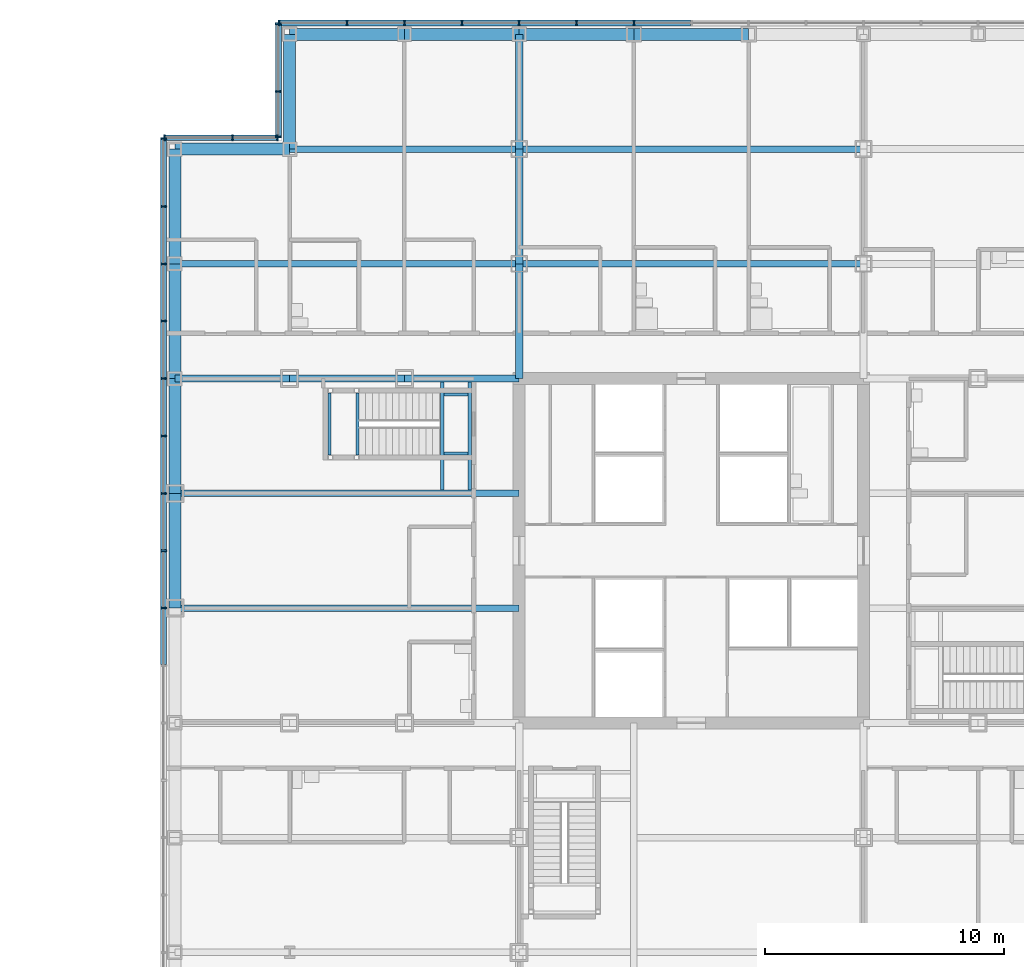
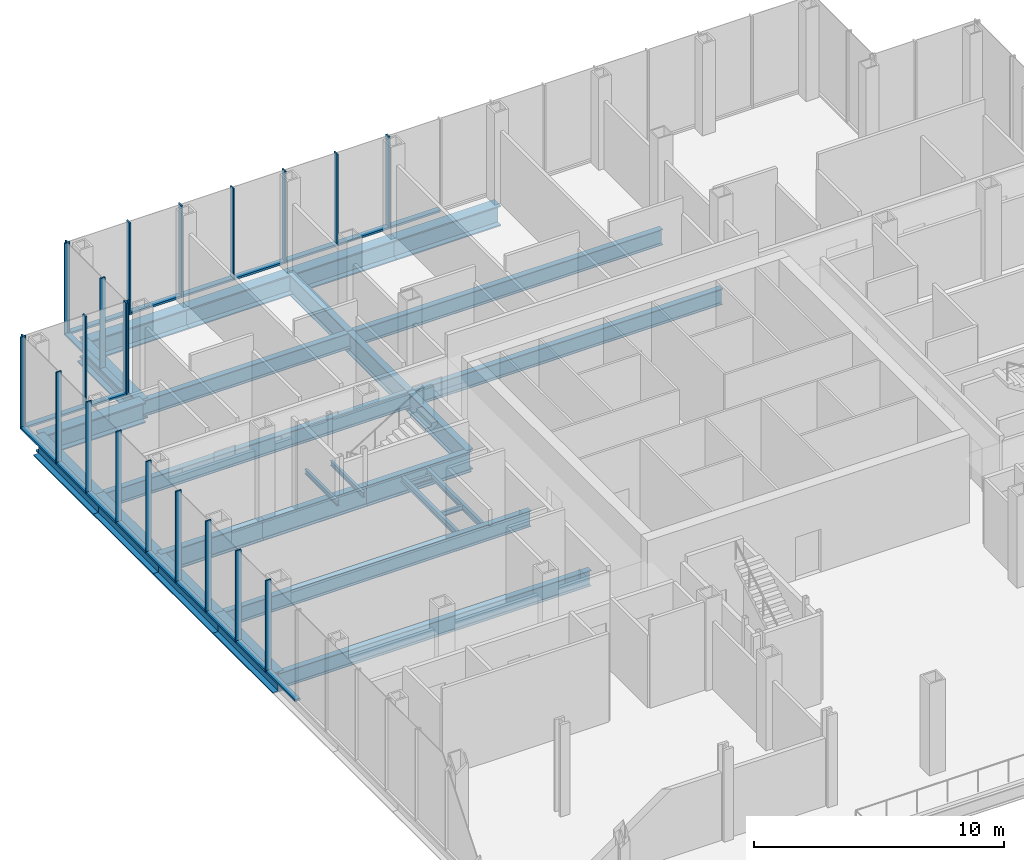
# One storey, part 15 of 25: 42 members, 28 beams, 4 elements without a shape of their own.
"""IFC4 building model written with IfcOpenShell, lengths in metres."""

from ifc_helpers import new_model, si_unit, direction, frame, origin, origin_2d, place, context, subcontext, project, spatial, rectangle, i_section, extrude, material, material_profile, profile_set, type_object, element, aggregate, save


model = new_model("IFC4")

# Units and contexts
model_context = context("Model", 3, precision=1e-05, world=origin(), true_north=direction((0.0, 1.0)))
body_context = subcontext(model_context, "Body", "Model", "MODEL_VIEW")
ifc_project = project(units=[si_unit("LENGTHUNIT", "METRE"), si_unit("AREAUNIT", "SQUARE_METRE"), si_unit("VOLUMEUNIT", "CUBIC_METRE"), si_unit("PLANEANGLEUNIT", "RADIAN"), si_unit("MASSUNIT", "GRAM", prefix="KILO")], contexts=[model_context])

# Site, building, storey
site_placement = place(None, origin())
site = spatial("IfcSite", under=ifc_project, at=site_placement, CompositionType="ELEMENT")
building_placement = place(site_placement, origin())
building = spatial("IfcBuilding", under=site, at=building_placement, Name="Kvirike Care Tower", CompositionType="ELEMENT")
storey_placement = place(building_placement, frame((0.0, 0.0, 9.0)))
storey = spatial("IfcBuildingStorey", under=building, at=storey_placement, Name="L02", CompositionType="ELEMENT", Elevation=9.0)

# Curtain wall, members
ifc_material_1 = material(Name="Anodised aluminium stick system", Category="aluminium")
curtain_wall_type = type_object("IfcCurtainWallType", Name="CW-P PODIUM STICK CURTAIN WALL", PredefinedType="NOTDEFINED", material=ifc_material_1)
curtain_wall_1_placement = place(storey_placement, origin())
curtain_wall_1 = element("IfcCurtainWall", 1, at=curtain_wall_1_placement, inside=storey, type_object=curtain_wall_type, Name="Curtain wall L02 face 11", PredefinedType="NOTDEFINED")
ifc_material_2 = material(Name="Bronze anodised aluminium mullion", Category="aluminium")
ifc_material_profile_1 = material_profile(ifc_material_2, rectangle(XDim=0.06494140625, YDim=0.25, at=origin_2d()), Name="CW-P MULLION 65x250")
ifc_profile_set_1 = profile_set([ifc_material_profile_1], Name="Bronze anodised aluminium mullion")
member_type_1 = type_object("IfcMemberType", Name="CW-P MULLION 65x250", PredefinedType="MULLION", material=ifc_profile_set_1)
member_1_placement = place(storey_placement, frame((19.199951171875, 58.074951171875, 0.0), z_axis=(0.0, 0.0, 1.0), x_axis=(-1.0, 0.0, 0.0)))
member_1 = element("IfcMember", 2, at=member_1_placement, type_object=member_type_1, Name="CW-P mullion L02 face 11.9", PredefinedType="MULLION", context=body_context, shape_type="SweptSolid", body=[
    extrude(rectangle(XDim=0.06494140625, YDim=0.25, at=origin_2d()), origin(), (0.0, 0.0, 1.0), 4.5),
])
member_2_placement = place(storey_placement, frame((16.800048828125, 58.074951171875, 0.0), z_axis=(0.0, 0.0, 1.0), x_axis=(-1.0, 0.0, 0.0)))
member_2 = element("IfcMember", 3, at=member_2_placement, type_object=member_type_1, Name="CW-P mullion L02 face 11.10", PredefinedType="MULLION", context=body_context, shape_type="SweptSolid", body=[
    extrude(rectangle(XDim=0.06494140625, YDim=0.25, at=origin_2d()), origin(), (0.0, 0.0, 1.0), 4.5),
])
member_3_placement = place(storey_placement, frame((14.39990234375, 58.074951171875, 0.0), z_axis=(0.0, 0.0, 1.0), x_axis=(-1.0, 0.0, 0.0)))
member_3 = element("IfcMember", 4, at=member_3_placement, type_object=member_type_1, Name="CW-P mullion L02 face 11.11", PredefinedType="MULLION", context=body_context, shape_type="SweptSolid", body=[
    extrude(rectangle(XDim=0.06494140625, YDim=0.25, at=origin_2d()), origin(), (0.0, 0.0, 1.0), 4.5),
])
member_4_placement = place(storey_placement, frame((12.0, 58.074951171875, 0.0), z_axis=(0.0, 0.0, 1.0), x_axis=(-1.0, 0.0, 0.0)))
member_4 = element("IfcMember", 5, at=member_4_placement, type_object=member_type_1, Name="CW-P mullion L02 face 11.12", PredefinedType="MULLION", context=body_context, shape_type="SweptSolid", body=[
    extrude(rectangle(XDim=0.06494140625, YDim=0.25, at=origin_2d()), origin(), (0.0, 0.0, 1.0), 4.5),
])
member_5_placement = place(storey_placement, frame((9.60009765625, 58.074951171875, 0.0), z_axis=(0.0, 0.0, 1.0), x_axis=(-1.0, 0.0, 0.0)))
member_5 = element("IfcMember", 6, at=member_5_placement, type_object=member_type_1, Name="CW-P mullion L02 face 11.13", PredefinedType="MULLION", context=body_context, shape_type="SweptSolid", body=[
    extrude(rectangle(XDim=0.06494140625, YDim=0.25, at=origin_2d()), origin(), (0.0, 0.0, 1.0), 4.5),
])
member_6_placement = place(storey_placement, frame((7.199951171875, 58.074951171875, 0.0), z_axis=(0.0, 0.0, 1.0), x_axis=(-1.0, 0.0, 0.0)))
member_6 = element("IfcMember", 7, at=member_6_placement, type_object=member_type_1, Name="CW-P mullion L02 face 11.14", PredefinedType="MULLION", context=body_context, shape_type="SweptSolid", body=[
    extrude(rectangle(XDim=0.06494140625, YDim=0.25, at=origin_2d()), origin(), (0.0, 0.0, 1.0), 4.5),
])
member_7_placement = place(storey_placement, frame((4.357421875, 58.074951171875, 0.0), z_axis=(0.0, 0.0, 1.0), x_axis=(-1.0, 0.0, 0.0)))
member_7 = element("IfcMember", 8, at=member_7_placement, type_object=member_type_1, Name="CW-P mullion L02 face 11.15", PredefinedType="MULLION", context=body_context, shape_type="SweptSolid", body=[
    extrude(rectangle(XDim=0.06494140625, YDim=0.25, at=origin_2d()), origin(), (0.0, 0.0, 1.0), 4.5),
])

curtain_wall_2_placement = place(storey_placement, origin())
curtain_wall_2 = element("IfcCurtainWall", 9, at=curtain_wall_2_placement, inside=storey, type_object=curtain_wall_type, Name="Curtain wall L02 face 12", PredefinedType="NOTDEFINED")
member_8_placement = place(storey_placement, frame((4.324951171875, 58.04248046875, 0.0), z_axis=(0.0, 0.0, 1.0), x_axis=(0.0, -1.0, 0.0)))
member_8 = element("IfcMember", 10, at=member_8_placement, type_object=member_type_1, Name="CW-P mullion L02 face 12.1", PredefinedType="MULLION", context=body_context, shape_type="SweptSolid", body=[
    extrude(rectangle(XDim=0.06494140625, YDim=0.25, at=origin_2d()), origin(), (0.0, 0.0, 1.0), 4.5),
])
member_9_placement = place(storey_placement, frame((4.324951171875, 55.199951171875, 0.0), z_axis=(0.0, 0.0, 1.0), x_axis=(0.0, -1.0, 0.0)))
member_9 = element("IfcMember", 11, at=member_9_placement, type_object=member_type_1, Name="CW-P mullion L02 face 12.2", PredefinedType="MULLION", context=body_context, shape_type="SweptSolid", body=[
    extrude(rectangle(XDim=0.06494140625, YDim=0.25, at=origin_2d()), origin(), (0.0, 0.0, 1.0), 4.5),
])
member_10_placement = place(storey_placement, frame((4.324951171875, 53.3076171875, 0.0), z_axis=(0.0, 0.0, 1.0), x_axis=(0.0, -1.0, 0.0)))
member_10 = element("IfcMember", 12, at=member_10_placement, type_object=member_type_1, Name="CW-P mullion L02 face 12.3", PredefinedType="MULLION", context=body_context, shape_type="SweptSolid", body=[
    extrude(rectangle(XDim=0.06494140625, YDim=0.25, at=origin_2d()), origin(), (0.0, 0.0, 1.0), 4.5),
])

curtain_wall_3_placement = place(storey_placement, origin())
curtain_wall_3 = element("IfcCurtainWall", 13, at=curtain_wall_3_placement, inside=storey, type_object=curtain_wall_type, Name="Curtain wall L02 face 13", PredefinedType="NOTDEFINED")
member_11_placement = place(storey_placement, frame((4.29248046875, 53.27490234375, 0.0), z_axis=(0.0, 0.0, 1.0), x_axis=(-1.0, 0.0, 0.0)))
member_11 = element("IfcMember", 14, at=member_11_placement, type_object=member_type_1, Name="CW-P mullion L02 face 13.1", PredefinedType="MULLION", context=body_context, shape_type="SweptSolid", body=[
    extrude(rectangle(XDim=0.06494140625, YDim=0.25, at=origin_2d()), origin(), (0.0, 0.0, 1.0), 4.5),
])
member_12_placement = place(storey_placement, frame((2.39990234375, 53.27490234375, 0.0), z_axis=(0.0, 0.0, 1.0), x_axis=(-1.0, 0.0, 0.0)))
member_12 = element("IfcMember", 15, at=member_12_placement, type_object=member_type_1, Name="CW-P mullion L02 face 13.2", PredefinedType="MULLION", context=body_context, shape_type="SweptSolid", body=[
    extrude(rectangle(XDim=0.06494140625, YDim=0.25, at=origin_2d()), origin(), (0.0, 0.0, 1.0), 4.5),
])
member_13_placement = place(storey_placement, frame((-0.4423828125, 53.27490234375, 0.0), z_axis=(0.0, 0.0, 1.0), x_axis=(-1.0, 0.0, 0.0)))
member_13 = element("IfcMember", 16, at=member_13_placement, type_object=member_type_1, Name="CW-P mullion L02 face 13.3", PredefinedType="MULLION", context=body_context, shape_type="SweptSolid", body=[
    extrude(rectangle(XDim=0.06494140625, YDim=0.25, at=origin_2d()), origin(), (0.0, 0.0, 1.0), 4.5),
])

curtain_wall_4_placement = place(storey_placement, origin())
curtain_wall_4 = element("IfcCurtainWall", 17, at=curtain_wall_4_placement, inside=storey, type_object=curtain_wall_type, Name="Curtain wall L02 face 14", PredefinedType="NOTDEFINED")
member_14_placement = place(storey_placement, frame((-0.47509765625, 53.242431640625, 0.0), z_axis=(0.0, 0.0, 1.0), x_axis=(0.0, -1.0, 0.0)))
member_14 = element("IfcMember", 18, at=member_14_placement, type_object=member_type_1, Name="CW-P mullion L02 face 14.1", PredefinedType="MULLION", context=body_context, shape_type="SweptSolid", body=[
    extrude(rectangle(XDim=0.06494140625, YDim=0.25, at=origin_2d()), origin(), (0.0, 0.0, 1.0), 4.5),
])
member_15_placement = place(storey_placement, frame((-0.47509765625, 50.39990234375, 0.0), z_axis=(0.0, 0.0, 1.0), x_axis=(0.0, -1.0, 0.0)))
member_15 = element("IfcMember", 19, at=member_15_placement, type_object=member_type_1, Name="CW-P mullion L02 face 14.2", PredefinedType="MULLION", context=body_context, shape_type="SweptSolid", body=[
    extrude(rectangle(XDim=0.06494140625, YDim=0.25, at=origin_2d()), origin(), (0.0, 0.0, 1.0), 4.5),
])
member_16_placement = place(storey_placement, frame((-0.47509765625, 48.0, 0.0), z_axis=(0.0, 0.0, 1.0), x_axis=(0.0, -1.0, 0.0)))
member_16 = element("IfcMember", 20, at=member_16_placement, type_object=member_type_1, Name="CW-P mullion L02 face 14.3", PredefinedType="MULLION", context=body_context, shape_type="SweptSolid", body=[
    extrude(rectangle(XDim=0.06494140625, YDim=0.25, at=origin_2d()), origin(), (0.0, 0.0, 1.0), 4.5),
])
member_17_placement = place(storey_placement, frame((-0.47509765625, 45.60009765625, 0.0), z_axis=(0.0, 0.0, 1.0), x_axis=(0.0, -1.0, 0.0)))
member_17 = element("IfcMember", 21, at=member_17_placement, type_object=member_type_1, Name="CW-P mullion L02 face 14.4", PredefinedType="MULLION", context=body_context, shape_type="SweptSolid", body=[
    extrude(rectangle(XDim=0.06494140625, YDim=0.25, at=origin_2d()), origin(), (0.0, 0.0, 1.0), 4.5),
])
member_18_placement = place(storey_placement, frame((-0.47509765625, 43.199951171875, 0.0), z_axis=(0.0, 0.0, 1.0), x_axis=(0.0, -1.0, 0.0)))
member_18 = element("IfcMember", 22, at=member_18_placement, type_object=member_type_1, Name="CW-P mullion L02 face 14.5", PredefinedType="MULLION", context=body_context, shape_type="SweptSolid", body=[
    extrude(rectangle(XDim=0.06494140625, YDim=0.25, at=origin_2d()), origin(), (0.0, 0.0, 1.0), 4.5),
])
member_19_placement = place(storey_placement, frame((-0.47509765625, 40.800048828125, 0.0), z_axis=(0.0, 0.0, 1.0), x_axis=(0.0, -1.0, 0.0)))
member_19 = element("IfcMember", 23, at=member_19_placement, type_object=member_type_1, Name="CW-P mullion L02 face 14.6", PredefinedType="MULLION", context=body_context, shape_type="SweptSolid", body=[
    extrude(rectangle(XDim=0.06494140625, YDim=0.25, at=origin_2d()), origin(), (0.0, 0.0, 1.0), 4.5),
])
member_20_placement = place(storey_placement, frame((-0.47509765625, 38.39990234375, 0.0), z_axis=(0.0, 0.0, 1.0), x_axis=(0.0, -1.0, 0.0)))
member_20 = element("IfcMember", 24, at=member_20_placement, type_object=member_type_1, Name="CW-P mullion L02 face 14.7", PredefinedType="MULLION", context=body_context, shape_type="SweptSolid", body=[
    extrude(rectangle(XDim=0.06494140625, YDim=0.25, at=origin_2d()), origin(), (0.0, 0.0, 1.0), 4.5),
])
member_21_placement = place(storey_placement, frame((-0.47509765625, 36.0, 0.0), z_axis=(0.0, 0.0, 1.0), x_axis=(0.0, -1.0, 0.0)))
member_21 = element("IfcMember", 25, at=member_21_placement, type_object=member_type_1, Name="CW-P mullion L02 face 14.8", PredefinedType="MULLION", context=body_context, shape_type="SweptSolid", body=[
    extrude(rectangle(XDim=0.06494140625, YDim=0.25, at=origin_2d()), origin(), (0.0, 0.0, 1.0), 4.5),
])
member_22_placement = place(storey_placement, frame((-0.47509765625, 33.60009765625, 0.0), z_axis=(0.0, 0.0, 1.0), x_axis=(0.0, -1.0, 0.0)))
member_22 = element("IfcMember", 26, at=member_22_placement, type_object=member_type_1, Name="CW-P mullion L02 face 14.9", PredefinedType="MULLION", context=body_context, shape_type="SweptSolid", body=[
    extrude(rectangle(XDim=0.06494140625, YDim=0.25, at=origin_2d()), origin(), (0.0, 0.0, 1.0), 4.5),
])

# Member
ifc_material_3 = material(Name="Bronze anodised aluminium transom", Category="aluminium")
ifc_material_profile_2 = material_profile(ifc_material_3, rectangle(XDim=0.25, YDim=0.10009765625, at=origin_2d()), Name="CW-P TRANSOM 250x100")
ifc_profile_set_2 = profile_set([ifc_material_profile_2], Name="Bronze anodised aluminium transom")
member_type_2 = type_object("IfcMemberType", Name="CW-P TRANSOM 250x100", PredefinedType="USERDEFINED", material=ifc_profile_set_2)
member_23_placement = place(storey_placement, frame((21.5673828125, 58.074951171875, 0.050048828125), z_axis=(-1.0, 0.0, 0.0), x_axis=(0.0, -1.0, 0.0)))
member_23 = element("IfcMember", 27, at=member_23_placement, type_object=member_type_2, Name="CW-P sill transom L02 face 11.8", ObjectType="TRANSOM", PredefinedType="USERDEFINED", context=body_context, shape_type="SweptSolid", body=[
    extrude(rectangle(XDim=0.25, YDim=0.10009765625, at=origin_2d()), origin(), (0.0, 0.0, 1.0), 2.3349609375),
])

member_24_placement = place(storey_placement, frame((19.16748046875, 58.074951171875, 0.050048828125), z_axis=(-1.0, 0.0, 0.0), x_axis=(0.0, -1.0, 0.0)))
member_24 = element("IfcMember", 28, at=member_24_placement, type_object=member_type_2, Name="CW-P sill transom L02 face 11.9", ObjectType="TRANSOM", PredefinedType="USERDEFINED", context=body_context, shape_type="SweptSolid", body=[
    extrude(rectangle(XDim=0.25, YDim=0.10009765625, at=origin_2d()), origin(), (0.0, 0.0, 1.0), 2.3349609375),
])

member_25_placement = place(storey_placement, frame((16.767578125, 58.074951171875, 0.050048828125), z_axis=(-1.0, 0.0, 0.0), x_axis=(0.0, -1.0, 0.0)))
member_25 = element("IfcMember", 29, at=member_25_placement, type_object=member_type_2, Name="CW-P sill transom L02 face 11.10", ObjectType="TRANSOM", PredefinedType="USERDEFINED", context=body_context, shape_type="SweptSolid", body=[
    extrude(rectangle(XDim=0.25, YDim=0.10009765625, at=origin_2d()), origin(), (0.0, 0.0, 1.0), 2.3349609375),
])

member_26_placement = place(storey_placement, frame((14.367431640625, 58.074951171875, 0.050048828125), z_axis=(-1.0, 0.0, 0.0), x_axis=(0.0, -1.0, 0.0)))
member_26 = element("IfcMember", 30, at=member_26_placement, type_object=member_type_2, Name="CW-P sill transom L02 face 11.11", ObjectType="TRANSOM", PredefinedType="USERDEFINED", context=body_context, shape_type="SweptSolid", body=[
    extrude(rectangle(XDim=0.25, YDim=0.10009765625, at=origin_2d()), origin(), (0.0, 0.0, 1.0), 2.3349609375),
])

member_27_placement = place(storey_placement, frame((11.967529296875, 58.074951171875, 0.050048828125), z_axis=(-1.0, 0.0, 0.0), x_axis=(0.0, -1.0, 0.0)))
member_27 = element("IfcMember", 31, at=member_27_placement, type_object=member_type_2, Name="CW-P sill transom L02 face 11.12", ObjectType="TRANSOM", PredefinedType="USERDEFINED", context=body_context, shape_type="SweptSolid", body=[
    extrude(rectangle(XDim=0.25, YDim=0.10009765625, at=origin_2d()), origin(), (0.0, 0.0, 1.0), 2.3349609375),
])

member_28_placement = place(storey_placement, frame((9.5673828125, 58.074951171875, 0.050048828125), z_axis=(-1.0, 0.0, 0.0), x_axis=(0.0, -1.0, 0.0)))
member_28 = element("IfcMember", 32, at=member_28_placement, type_object=member_type_2, Name="CW-P sill transom L02 face 11.13", ObjectType="TRANSOM", PredefinedType="USERDEFINED", context=body_context, shape_type="SweptSolid", body=[
    extrude(rectangle(XDim=0.25, YDim=0.10009765625, at=origin_2d()), origin(), (0.0, 0.0, 1.0), 2.3349609375),
])

member_29_placement = place(storey_placement, frame((7.16748046875, 58.074951171875, 0.050048828125), z_axis=(-1.0, 0.0, 0.0), x_axis=(0.0, -1.0, 0.0)))
member_29 = element("IfcMember", 33, at=member_29_placement, type_object=member_type_2, Name="CW-P sill transom L02 face 11.14", ObjectType="TRANSOM", PredefinedType="USERDEFINED", context=body_context, shape_type="SweptSolid", body=[
    extrude(rectangle(XDim=0.25, YDim=0.10009765625, at=origin_2d()), origin(), (0.0, 0.0, 1.0), 2.777587890625),
])

aggregate(curtain_wall_1, [member_1, member_2, member_3, member_4, member_5, member_6, member_7, member_23, member_24, member_25, member_26, member_27, member_28, member_29])

member_30_placement = place(storey_placement, frame((4.324951171875, 58.010009765625, 0.050048828125), z_axis=(0.0, -1.0, 0.0), x_axis=(1.0, 0.0, 0.0)))
member_30 = element("IfcMember", 34, at=member_30_placement, type_object=member_type_2, Name="CW-P sill transom L02 face 12.1", ObjectType="TRANSOM", PredefinedType="USERDEFINED", context=body_context, shape_type="SweptSolid", body=[
    extrude(rectangle(XDim=0.25, YDim=0.10009765625, at=origin_2d()), origin(), (0.0, 0.0, 1.0), 2.777587890625),
])

member_31_placement = place(storey_placement, frame((4.324951171875, 55.16748046875, 0.050048828125), z_axis=(0.0, -1.0, 0.0), x_axis=(1.0, 0.0, 0.0)))
member_31 = element("IfcMember", 35, at=member_31_placement, type_object=member_type_2, Name="CW-P sill transom L02 face 12.2", ObjectType="TRANSOM", PredefinedType="USERDEFINED", context=body_context, shape_type="SweptSolid", body=[
    extrude(rectangle(XDim=0.25, YDim=0.10009765625, at=origin_2d()), origin(), (0.0, 0.0, 1.0), 1.827392578125),
])

aggregate(curtain_wall_2, [member_8, member_9, member_10, member_30, member_31])

member_32_placement = place(storey_placement, frame((4.260009765625, 53.27490234375, 0.050048828125), z_axis=(-1.0, 0.0, 0.0), x_axis=(0.0, -1.0, 0.0)))
member_32 = element("IfcMember", 36, at=member_32_placement, type_object=member_type_2, Name="CW-P sill transom L02 face 13.1", ObjectType="TRANSOM", PredefinedType="USERDEFINED", context=body_context, shape_type="SweptSolid", body=[
    extrude(rectangle(XDim=0.25, YDim=0.10009765625, at=origin_2d()), origin(), (0.0, 0.0, 1.0), 1.827392578125),
])

member_33_placement = place(storey_placement, frame((2.367431640625, 53.27490234375, 0.050048828125), z_axis=(-1.0, 0.0, 0.0), x_axis=(0.0, -1.0, 0.0)))
member_33 = element("IfcMember", 37, at=member_33_placement, type_object=member_type_2, Name="CW-P sill transom L02 face 13.2", ObjectType="TRANSOM", PredefinedType="USERDEFINED", context=body_context, shape_type="SweptSolid", body=[
    extrude(rectangle(XDim=0.25, YDim=0.10009765625, at=origin_2d()), origin(), (0.0, 0.0, 1.0), 2.77734375),
])

aggregate(curtain_wall_3, [member_11, member_12, member_13, member_32, member_33])

member_34_placement = place(storey_placement, frame((-0.47509765625, 53.2099609375, 0.050048828125), z_axis=(0.0, -1.0, 0.0), x_axis=(1.0, 0.0, 0.0)))
member_34 = element("IfcMember", 38, at=member_34_placement, type_object=member_type_2, Name="CW-P sill transom L02 face 14.1", ObjectType="TRANSOM", PredefinedType="USERDEFINED", context=body_context, shape_type="SweptSolid", body=[
    extrude(rectangle(XDim=0.25, YDim=0.10009765625, at=origin_2d()), origin(), (0.0, 0.0, 1.0), 2.77734375),
])

member_35_placement = place(storey_placement, frame((-0.47509765625, 50.367431640625, 0.050048828125), z_axis=(0.0, -1.0, 0.0), x_axis=(1.0, 0.0, 0.0)))
member_35 = element("IfcMember", 39, at=member_35_placement, type_object=member_type_2, Name="CW-P sill transom L02 face 14.2", ObjectType="TRANSOM", PredefinedType="USERDEFINED", context=body_context, shape_type="SweptSolid", body=[
    extrude(rectangle(XDim=0.25, YDim=0.10009765625, at=origin_2d()), origin(), (0.0, 0.0, 1.0), 2.3349609375),
])

member_36_placement = place(storey_placement, frame((-0.47509765625, 47.967529296875, 0.050048828125), z_axis=(0.0, -1.0, 0.0), x_axis=(1.0, 0.0, 0.0)))
member_36 = element("IfcMember", 40, at=member_36_placement, type_object=member_type_2, Name="CW-P sill transom L02 face 14.3", ObjectType="TRANSOM", PredefinedType="USERDEFINED", context=body_context, shape_type="SweptSolid", body=[
    extrude(rectangle(XDim=0.25, YDim=0.10009765625, at=origin_2d()), origin(), (0.0, 0.0, 1.0), 2.3349609375),
])

member_37_placement = place(storey_placement, frame((-0.47509765625, 45.5673828125, 0.050048828125), z_axis=(0.0, -1.0, 0.0), x_axis=(1.0, 0.0, 0.0)))
member_37 = element("IfcMember", 41, at=member_37_placement, type_object=member_type_2, Name="CW-P sill transom L02 face 14.4", ObjectType="TRANSOM", PredefinedType="USERDEFINED", context=body_context, shape_type="SweptSolid", body=[
    extrude(rectangle(XDim=0.25, YDim=0.10009765625, at=origin_2d()), origin(), (0.0, 0.0, 1.0), 2.3349609375),
])

member_38_placement = place(storey_placement, frame((-0.47509765625, 43.16748046875, 0.050048828125), z_axis=(0.0, -1.0, 0.0), x_axis=(1.0, 0.0, 0.0)))
member_38 = element("IfcMember", 42, at=member_38_placement, type_object=member_type_2, Name="CW-P sill transom L02 face 14.5", ObjectType="TRANSOM", PredefinedType="USERDEFINED", context=body_context, shape_type="SweptSolid", body=[
    extrude(rectangle(XDim=0.25, YDim=0.10009765625, at=origin_2d()), origin(), (0.0, 0.0, 1.0), 2.3349609375),
])

member_39_placement = place(storey_placement, frame((-0.47509765625, 40.767578125, 0.050048828125), z_axis=(0.0, -1.0, 0.0), x_axis=(1.0, 0.0, 0.0)))
member_39 = element("IfcMember", 43, at=member_39_placement, type_object=member_type_2, Name="CW-P sill transom L02 face 14.6", ObjectType="TRANSOM", PredefinedType="USERDEFINED", context=body_context, shape_type="SweptSolid", body=[
    extrude(rectangle(XDim=0.25, YDim=0.10009765625, at=origin_2d()), origin(), (0.0, 0.0, 1.0), 2.3349609375),
])

member_40_placement = place(storey_placement, frame((-0.47509765625, 38.367431640625, 0.050048828125), z_axis=(0.0, -1.0, 0.0), x_axis=(1.0, 0.0, 0.0)))
member_40 = element("IfcMember", 44, at=member_40_placement, type_object=member_type_2, Name="CW-P sill transom L02 face 14.7", ObjectType="TRANSOM", PredefinedType="USERDEFINED", context=body_context, shape_type="SweptSolid", body=[
    extrude(rectangle(XDim=0.25, YDim=0.10009765625, at=origin_2d()), origin(), (0.0, 0.0, 1.0), 2.3349609375),
])

member_41_placement = place(storey_placement, frame((-0.47509765625, 35.967529296875, 0.050048828125), z_axis=(0.0, -1.0, 0.0), x_axis=(1.0, 0.0, 0.0)))
member_41 = element("IfcMember", 45, at=member_41_placement, type_object=member_type_2, Name="CW-P sill transom L02 face 14.8", ObjectType="TRANSOM", PredefinedType="USERDEFINED", context=body_context, shape_type="SweptSolid", body=[
    extrude(rectangle(XDim=0.25, YDim=0.10009765625, at=origin_2d()), origin(), (0.0, 0.0, 1.0), 2.3349609375),
])

member_42_placement = place(storey_placement, frame((-0.47509765625, 33.5673828125, 0.050048828125), z_axis=(0.0, -1.0, 0.0), x_axis=(1.0, 0.0, 0.0)))
member_42 = element("IfcMember", 46, at=member_42_placement, type_object=member_type_2, Name="CW-P sill transom L02 face 14.9", ObjectType="TRANSOM", PredefinedType="USERDEFINED", context=body_context, shape_type="SweptSolid", body=[
    extrude(rectangle(XDim=0.25, YDim=0.10009765625, at=origin_2d()), origin(), (0.0, 0.0, 1.0), 2.3349609375),
])

aggregate(curtain_wall_4, [member_14, member_15, member_16, member_17, member_18, member_19, member_20, member_21, member_22, member_34, member_35, member_36, member_37, member_38, member_39, member_40, member_41, member_42])

# Beams
ifc_material_4 = material(Name="Steel S355", Category="steel")
ifc_material_profile_3 = material_profile(ifc_material_4, i_section(OverallWidth=0.26806640625, OverallDepth=0.77001953125, WebThickness=0.015625, FlangeThickness=0.025390625, FilletRadius=0.01708984375, at=origin_2d()), Name="IPE 750x196")
ifc_profile_set_3 = profile_set([ifc_material_profile_3], Name="Steel S355")
beam_type_1 = type_object("IfcBeamType", Name="FLOOR BEAM IPE 750x196", PredefinedType="BEAM", material=ifc_profile_set_3)
for number, where, z_axis, x_axis, name in (
    (47, (0.0, 33.60009765625, -0.554931640625), (1.0, 0.0, 0.0), (0.0, 1.0, 0.0), "Floor Beam H3-H6 L02"),
    (48, (0.0, 38.39990234375, -0.554931640625), (1.0, 0.0, 0.0), (0.0, 1.0, 0.0), "Floor Beam J3-J6 L02"),
    (49, (0.0, 48.0, -0.554931640625), (1.0, 0.0, 0.0), (0.0, 1.0, 0.0), "Floor Beam L3-L6 L02"),
):
    element("IfcBeam", number, at=place(storey_placement, frame(where, z_axis=z_axis, x_axis=x_axis)), inside=storey, type_object=beam_type_1, Name=name, PredefinedType="BEAM", context=body_context, shape_type="SweptSolid", body=[
        extrude(i_section(OverallWidth=0.26806640625, OverallDepth=0.77001953125, WebThickness=0.015625, FlangeThickness=0.025390625, FilletRadius=0.01708984375, at=origin_2d()), origin(), (0.0, 0.0, 1.0), 14.39990234375),
    ])
beam_1_placement = place(storey_placement, frame((14.39990234375, 48.0, -0.554931640625), z_axis=(1.0, 0.0, 0.0), x_axis=(0.0, 1.0, 0.0)))
element("IfcBeam", 50, at=beam_1_placement, inside=storey, type_object=beam_type_1, Name="Floor Beam L6-L9 L02", PredefinedType="BEAM", context=body_context, shape_type="SweptSolid", body=[
    extrude(i_section(OverallWidth=0.26806640625, OverallDepth=0.77001953125, WebThickness=0.015625, FlangeThickness=0.025390625, FilletRadius=0.01708984375, at=origin_2d()), origin(), (0.0, 0.0, 1.0), 14.400146484375),
])
beam_2_placement = place(storey_placement, frame((4.800048828125, 52.800048828125, -0.554931640625), z_axis=(1.0, 0.0, 0.0), x_axis=(0.0, 1.0, 0.0)))
element("IfcBeam", 51, at=beam_2_placement, inside=storey, type_object=beam_type_1, Name="Floor Beam M4-M6 L02", PredefinedType="BEAM", context=body_context, shape_type="SweptSolid", body=[
    extrude(i_section(OverallWidth=0.26806640625, OverallDepth=0.77001953125, WebThickness=0.015625, FlangeThickness=0.025390625, FilletRadius=0.01708984375, at=origin_2d()), origin(), (0.0, 0.0, 1.0), 9.599853515625),
])
beam_3_placement = place(storey_placement, frame((14.39990234375, 52.800048828125, -0.554931640625), z_axis=(1.0, 0.0, 0.0), x_axis=(0.0, 1.0, 0.0)))
element("IfcBeam", 52, at=beam_3_placement, inside=storey, type_object=beam_type_1, Name="Floor Beam M6-M9 L02", PredefinedType="BEAM", context=body_context, shape_type="SweptSolid", body=[
    extrude(i_section(OverallWidth=0.26806640625, OverallDepth=0.77001953125, WebThickness=0.015625, FlangeThickness=0.025390625, FilletRadius=0.01708984375, at=origin_2d()), origin(), (0.0, 0.0, 1.0), 14.400146484375),
])
ifc_material_5 = material(Name="Steel S355", Category="steel")
ifc_material_profile_4 = material_profile(ifc_material_5, i_section(OverallWidth=0.300048828125, OverallDepth=1.0, WebThickness=0.01904296875, FlangeThickness=0.035888671875, FilletRadius=0.030029296875, at=origin_2d()), Name="HE 1000 B")
ifc_profile_set_4 = profile_set([ifc_material_profile_4], Name="Steel S355")
beam_type_2 = type_object("IfcBeamType", Name="FRAME BEAM HE 1000 B", PredefinedType="BEAM", material=ifc_profile_set_4)
for number, where, z_axis, x_axis, name in (
    (53, (0.0, 43.199951171875, -0.669921875), (1.0, 0.0, 0.0), (0.0, 1.0, 0.0), "Frame Beam K3-K4 L02"),
    (54, (4.800048828125, 43.199951171875, -0.669921875), (1.0, 0.0, 0.0), (0.0, 1.0, 0.0), "Frame Beam K4-K5 L02"),
):
    element("IfcBeam", number, at=place(storey_placement, frame(where, z_axis=z_axis, x_axis=x_axis)), inside=storey, type_object=beam_type_2, Name=name, PredefinedType="BEAM", context=body_context, shape_type="SweptSolid", body=[
        extrude(i_section(OverallWidth=0.300048828125, OverallDepth=1.0, WebThickness=0.01904296875, FlangeThickness=0.035888671875, FilletRadius=0.030029296875, at=origin_2d()), origin(), (0.0, 0.0, 1.0), 4.800048828125),
    ])
beam_4_placement = place(storey_placement, frame((9.60009765625, 43.199951171875, -0.669921875), z_axis=(1.0, 0.0, 0.0), x_axis=(0.0, 1.0, 0.0)))
element("IfcBeam", 55, at=beam_4_placement, inside=storey, type_object=beam_type_2, Name="Frame Beam K5-K6 L02", PredefinedType="BEAM", context=body_context, shape_type="SweptSolid", body=[
    extrude(i_section(OverallWidth=0.300048828125, OverallDepth=1.0, WebThickness=0.01904296875, FlangeThickness=0.035888671875, FilletRadius=0.030029296875, at=origin_2d()), origin(), (0.0, 0.0, 1.0), 4.7998046875),
])
for number, where, z_axis, x_axis, name in (
    (56, (14.39990234375, 43.199951171875, -0.669921875), (0.0, 1.0, 0.0), (-1.0, 0.0, 0.0), "Frame Beam K6-L6 L02"),
    (57, (14.39990234375, 48.0, -0.669921875), (0.0, 1.0, 0.0), (-1.0, 0.0, 0.0), "Frame Beam L6-M6 L02"),
    (58, (14.39990234375, 52.800048828125, -0.669921875), (0.0, 1.0, 0.0), (-1.0, 0.0, 0.0), "Frame Beam M6-N6 L02"),
):
    element("IfcBeam", number, at=place(storey_placement, frame(where, z_axis=z_axis, x_axis=x_axis)), inside=storey, type_object=beam_type_2, Name=name, PredefinedType="BEAM", context=body_context, shape_type="SweptSolid", body=[
        extrude(i_section(OverallWidth=0.300048828125, OverallDepth=1.0, WebThickness=0.01904296875, FlangeThickness=0.035888671875, FilletRadius=0.030029296875, at=origin_2d()), origin(), (0.0, 0.0, 1.0), 4.800048828125),
    ])
ifc_material_6 = material(Name="Steel S355", Category="steel")
ifc_material_profile_5 = material_profile(ifc_material_6, i_section(OverallWidth=0.5, OverallDepth=1.0, WebThickness=0.030029296875, FlangeThickness=0.06005859375, at=origin_2d()), Name="PG 1000x500x30x60")
ifc_profile_set_5 = profile_set([ifc_material_profile_5], Name="Steel S355")
beam_type_3 = type_object("IfcBeamType", Name="SPANDREL PG 1000x500x30x60", PredefinedType="SPANDREL", material=ifc_profile_set_5)
for number, where, z_axis, x_axis, name in (
    (59, (0.0, 52.800048828125, -0.669921875), (1.0, 0.0, 0.0), (0.0, 1.0, 0.0), "Spandrel M3-M4 L02"),
    (60, (4.800048828125, 57.60009765625, -0.669921875), (1.0, 0.0, 0.0), (0.0, 1.0, 0.0), "Spandrel N4-N5 L02"),
):
    element("IfcBeam", number, at=place(storey_placement, frame(where, z_axis=z_axis, x_axis=x_axis)), inside=storey, type_object=beam_type_3, Name=name, PredefinedType="SPANDREL", context=body_context, shape_type="SweptSolid", body=[
        extrude(i_section(OverallWidth=0.5, OverallDepth=1.0, WebThickness=0.030029296875, FlangeThickness=0.06005859375, at=origin_2d()), origin(), (0.0, 0.0, 1.0), 4.800048828125),
    ])
beam_5_placement = place(storey_placement, frame((9.60009765625, 57.60009765625, -0.669921875), z_axis=(1.0, 0.0, 0.0), x_axis=(0.0, 1.0, 0.0)))
element("IfcBeam", 61, at=beam_5_placement, inside=storey, type_object=beam_type_3, Name="Spandrel N5-N6 L02", PredefinedType="SPANDREL", context=body_context, shape_type="SweptSolid", body=[
    extrude(i_section(OverallWidth=0.5, OverallDepth=1.0, WebThickness=0.030029296875, FlangeThickness=0.06005859375, at=origin_2d()), origin(), (0.0, 0.0, 1.0), 4.7998046875),
])
for number, where, z_axis, x_axis, name in (
    (62, (14.39990234375, 57.60009765625, -0.669921875), (1.0, 0.0, 0.0), (0.0, 1.0, 0.0), "Spandrel N6-N7 L02"),
    (63, (19.199951171875, 57.60009765625, -0.669921875), (1.0, 0.0, 0.0), (0.0, 1.0, 0.0), "Spandrel N7-N8 L02"),
):
    element("IfcBeam", number, at=place(storey_placement, frame(where, z_axis=z_axis, x_axis=x_axis)), inside=storey, type_object=beam_type_3, Name=name, PredefinedType="SPANDREL", context=body_context, shape_type="SweptSolid", body=[
        extrude(i_section(OverallWidth=0.5, OverallDepth=1.0, WebThickness=0.030029296875, FlangeThickness=0.06005859375, at=origin_2d()), origin(), (0.0, 0.0, 1.0), 4.800048828125),
    ])
beam_6_placement = place(storey_placement, frame((0.0, 33.60009765625, -0.669921875), z_axis=(0.0, 1.0, 0.0), x_axis=(-1.0, 0.0, 0.0)))
element("IfcBeam", 64, at=beam_6_placement, inside=storey, type_object=beam_type_3, Name="Spandrel H3-J3 L02", PredefinedType="SPANDREL", context=body_context, shape_type="SweptSolid", body=[
    extrude(i_section(OverallWidth=0.5, OverallDepth=1.0, WebThickness=0.030029296875, FlangeThickness=0.06005859375, at=origin_2d()), origin(), (0.0, 0.0, 1.0), 4.7998046875),
])
for number, where, z_axis, x_axis, name in (
    (65, (0.0, 38.39990234375, -0.669921875), (0.0, 1.0, 0.0), (-1.0, 0.0, 0.0), "Spandrel J3-K3 L02"),
    (66, (0.0, 43.199951171875, -0.669921875), (0.0, 1.0, 0.0), (-1.0, 0.0, 0.0), "Spandrel K3-L3 L02"),
    (67, (0.0, 48.0, -0.669921875), (0.0, 1.0, 0.0), (-1.0, 0.0, 0.0), "Spandrel L3-M3 L02"),
    (68, (4.800048828125, 52.800048828125, -0.669921875), (0.0, 1.0, 0.0), (-1.0, 0.0, 0.0), "Spandrel M4-N4 L02"),
):
    element("IfcBeam", number, at=place(storey_placement, frame(where, z_axis=z_axis, x_axis=x_axis)), inside=storey, type_object=beam_type_3, Name=name, PredefinedType="SPANDREL", context=body_context, shape_type="SweptSolid", body=[
        extrude(i_section(OverallWidth=0.5, OverallDepth=1.0, WebThickness=0.030029296875, FlangeThickness=0.06005859375, at=origin_2d()), origin(), (0.0, 0.0, 1.0), 4.800048828125),
    ])
ifc_material_7 = material(Name="Steel S355", Category="steel")
ifc_material_profile_6 = material_profile(ifc_material_7, i_section(OverallWidth=0.1201171875, OverallDepth=0.239990234375, WebThickness=0.006103515625, FlangeThickness=0.009765625, FilletRadius=0.014892578125, at=origin_2d()), Name="IPE 240")
ifc_profile_set_6 = profile_set([ifc_material_profile_6], Name="Steel S355")
beam_type_4 = type_object("IfcBeamType", Name="STAIR LANDING BEAM IPE 240", PredefinedType="BEAM", material=ifc_profile_set_6)
for number, where, z_axis, x_axis, name in (
    (69, (6.4599609375, 42.60009765625, 1.929931640625), (0.0, -1.0, 0.0), (1.0, 0.0, 0.0), "Stair 1 landing beam back L02"),
    (70, (7.639892578125, 42.60009765625, 1.929931640625), (0.0, -1.0, 0.0), (1.0, 0.0, 0.0), "Stair 1 landing beam front L02"),
):
    element("IfcBeam", number, at=place(storey_placement, frame(where, z_axis=z_axis, x_axis=x_axis)), inside=storey, type_object=beam_type_4, Name=name, PredefinedType="BEAM", context=body_context, shape_type="SweptSolid", body=[
        extrude(i_section(OverallWidth=0.1201171875, OverallDepth=0.239990234375, WebThickness=0.006103515625, FlangeThickness=0.009765625, FilletRadius=0.014892578125, at=origin_2d()), origin(), (0.0, 0.0, 1.0), 2.60009765625),
    ])
for number, where, z_axis, x_axis, name in (
    (71, (11.25, 42.5400390625, -0.320068359375), (1.0, 0.0, 0.0), (0.0, 1.0, 0.0), "Stair 1 landing edge beam 1 L02"),
    (72, (11.25, 40.06005859375, -0.320068359375), (1.0, 0.0, 0.0), (0.0, 1.0, 0.0), "Stair 1 landing edge beam 2 L02"),
):
    element("IfcBeam", number, at=place(storey_placement, frame(where, z_axis=z_axis, x_axis=x_axis)), inside=storey, type_object=beam_type_4, Name=name, PredefinedType="BEAM", context=body_context, shape_type="SweptSolid", body=[
        extrude(i_section(OverallWidth=0.1201171875, OverallDepth=0.239990234375, WebThickness=0.006103515625, FlangeThickness=0.009765625, FilletRadius=0.014892578125, at=origin_2d()), origin(), (0.0, 0.0, 1.0), 1.0),
    ])
ifc_material_8 = material(Name="Steel S355", Category="steel")
ifc_material_profile_7 = material_profile(ifc_material_8, i_section(OverallWidth=0.14990234375, OverallDepth=0.300048828125, WebThickness=0.007080078125, FlangeThickness=0.0107421875, FilletRadius=0.014892578125, at=origin_2d()), Name="IPE 300")
ifc_profile_set_7 = profile_set([ifc_material_profile_7], Name="Steel S355")
beam_type_5 = type_object("IfcBeamType", Name="STAIR TRIMMER IPE 300", PredefinedType="BEAM", material=ifc_profile_set_7)
for number, where, z_axis, x_axis, name in (
    (73, (11.175048828125, 43.050048828125, -0.35009765625), (0.0, -1.0, 0.0), (1.0, 0.0, 0.0), "Stair 1 trimmer 1 L02"),
    (74, (12.324951171875, 43.050048828125, -0.35009765625), (0.0, -1.0, 0.0), (1.0, 0.0, 0.0), "Stair 1 trimmer 2 L02"),
):
    element("IfcBeam", number, at=place(storey_placement, frame(where, z_axis=z_axis, x_axis=x_axis)), inside=storey, type_object=beam_type_5, Name=name, PredefinedType="BEAM", context=body_context, shape_type="SweptSolid", body=[
        extrude(i_section(OverallWidth=0.14990234375, OverallDepth=0.300048828125, WebThickness=0.007080078125, FlangeThickness=0.0107421875, FilletRadius=0.014892578125, at=origin_2d()), origin(), (0.0, 0.0, 1.0), 4.51611328125),
    ])

save(model, "model.ifc")
